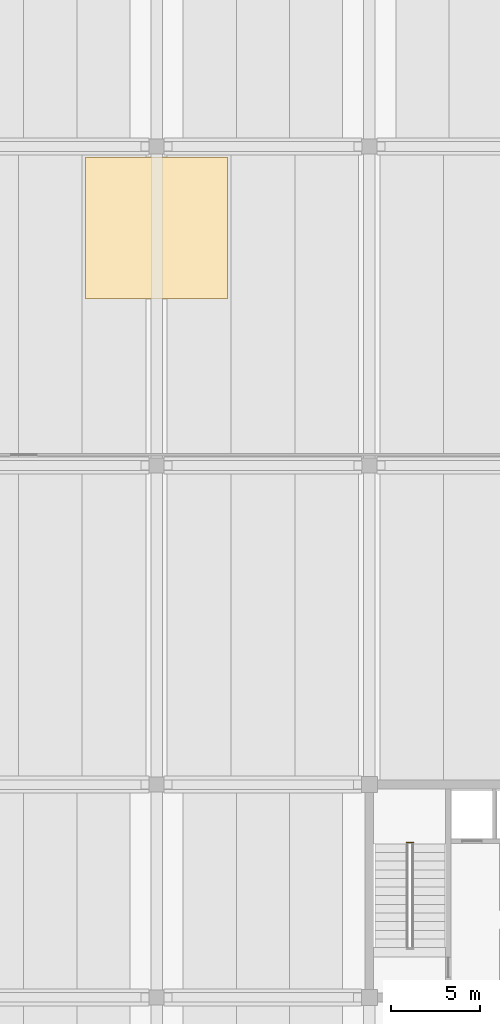
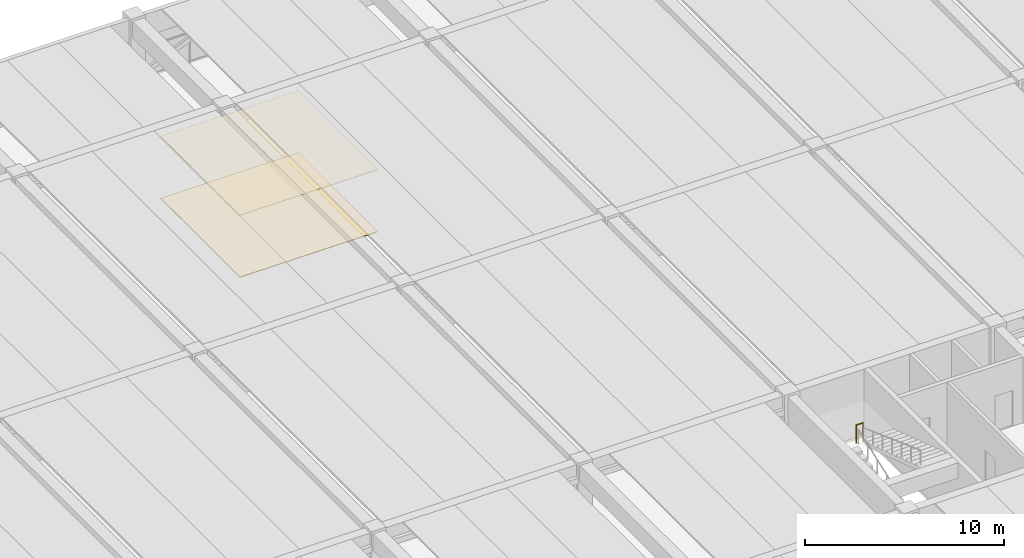
# One storey, part 48 of 50: 2 coverings, 1 railing.
"""IFC4 building model written with IfcOpenShell, lengths in metres."""

from ifc_helpers import new_model, si_unit, direction, frame, origin, origin_2d, place, context, subcontext, project, spatial, rectangle, circle, extrude, material, layer, layer_set, type_object, element, save


model = new_model("IFC4")

# Units and contexts
model_context = context("Model", 3, precision=1e-05, world=origin(), true_north=direction((0.0, 1.0)))
body_context = subcontext(model_context, "Body", "Model", "MODEL_VIEW")
ifc_project = project(units=[si_unit("LENGTHUNIT", "METRE"), si_unit("AREAUNIT", "SQUARE_METRE"), si_unit("VOLUMEUNIT", "CUBIC_METRE"), si_unit("PLANEANGLEUNIT", "RADIAN"), si_unit("MASSUNIT", "GRAM", prefix="KILO")], contexts=[model_context])

# Site, building, storey
site_placement = place(None, origin())
site = spatial("IfcSite", under=ifc_project, at=site_placement, CompositionType="ELEMENT")
building_placement = place(site_placement, origin())
building = spatial("IfcBuilding", under=site, at=building_placement, Name="Girod Span Mobility Hub", CompositionType="ELEMENT")
storey_placement = place(building_placement, frame((0.0, 0.0, 5.39990234375)))
storey = spatial("IfcBuildingStorey", under=building, at=storey_placement, Name="L01", CompositionType="ELEMENT", Elevation=5.39990234375)

# Coverings
ifc_material_1 = material(Name="Perforated Mineral-Fibre Acoustic Ceiling Tile", Category="mineral")
ifc_layer_1 = layer(ifc_material_1, 0.0400390625)
ifc_layer_set_1 = layer_set([ifc_layer_1], Name="Perforated Mineral-Fibre Acoustic Ceiling Tile")
covering_type_1 = type_object("IfcCoveringType", Name="COV-CLG-800X800", PredefinedType="CEILING", material=ifc_layer_set_1)
covering_1_placement = place(storey_placement, frame((36.0, 100.39990234375, 3.80517578125), z_axis=(0.0, 0.0, 1.0), x_axis=(1.0, 0.0, 0.0)))
element("IfcCovering", 1, at=covering_1_placement, inside=storey, type_object=covering_type_1, Name="Bicycle Store Mezzanine Acoustic Ceiling", PredefinedType="CEILING", context=body_context, shape_type="SweptSolid", body=[
    extrude(rectangle(XDim=8.0, YDim=8.0, at=origin_2d()), origin(), (0.0, 0.0, 1.0), 0.0400390625),
])
ifc_material_2 = material(Name="Epoxy Terrazzo and Raised Access Flooring", Category="polymer")
ifc_layer_2 = layer(ifc_material_2, 0.034912109375)
ifc_layer_set_2 = layer_set([ifc_layer_2], Name="Epoxy Terrazzo and Raised Access Flooring")
covering_type_2 = type_object("IfcCoveringType", Name="COV-FLR-800X800", PredefinedType="FLOORING", material=ifc_layer_set_2)
covering_2_placement = place(storey_placement, frame((36.0, 100.39990234375, 0.0), z_axis=(0.0, 0.0, 1.0), x_axis=(1.0, 0.0, 0.0)))
element("IfcCovering", 2, at=covering_2_placement, inside=storey, type_object=covering_type_2, Name="Bicycle Store Mezzanine Floor Finish", PredefinedType="FLOORING", context=body_context, shape_type="SweptSolid", body=[
    extrude(rectangle(XDim=8.0, YDim=8.0, at=origin_2d()), origin(), (0.0, 0.0, 1.0), 0.034912109375),
])

# Railing
ifc_material_3 = material(Name="Painted Galvanised Steel", Category="steel")
ifc_layer_3 = layer(ifc_material_3, 0.06494140625)
ifc_layer_set_3 = layer_set([ifc_layer_3], Name="Painted Galvanised Steel")
railing_type = type_object("IfcRailingType", Name="RL-GRD-1120", PredefinedType="GUARDRAIL", material=ifc_layer_set_3)
railing_placement = place(storey_placement, frame((50.10009765625, 65.739990234375, 2.10009765625)))
element("IfcRailing", 3, at=railing_placement, inside=storey, type_object=railing_type, Name="Stair ST-1 Half-Landing Well Guard L01", PredefinedType="GUARDRAIL", context=body_context, shape_type="SweptSolid", body=[
    extrude(circle(Radius=0.02392578125, at=origin_2d()), frame((0.0, 0.0, 1.09619140625), z_axis=(1.0, 0.0, 0.0), x_axis=(0.0, 1.0, 0.0)), (0.0, 0.0, 1.0), 0.39990234375),
    extrude(circle(Radius=0.02099609375, at=origin_2d()), origin(), (0.0, 0.0, 1.0), 1.072021484375),
    extrude(circle(Radius=0.02099609375, at=origin_2d()), frame((0.39990234375, 0.0, 0.0)), (0.0, 0.0, 1.0), 1.072021484375),
])

save(model, "model.ifc")
